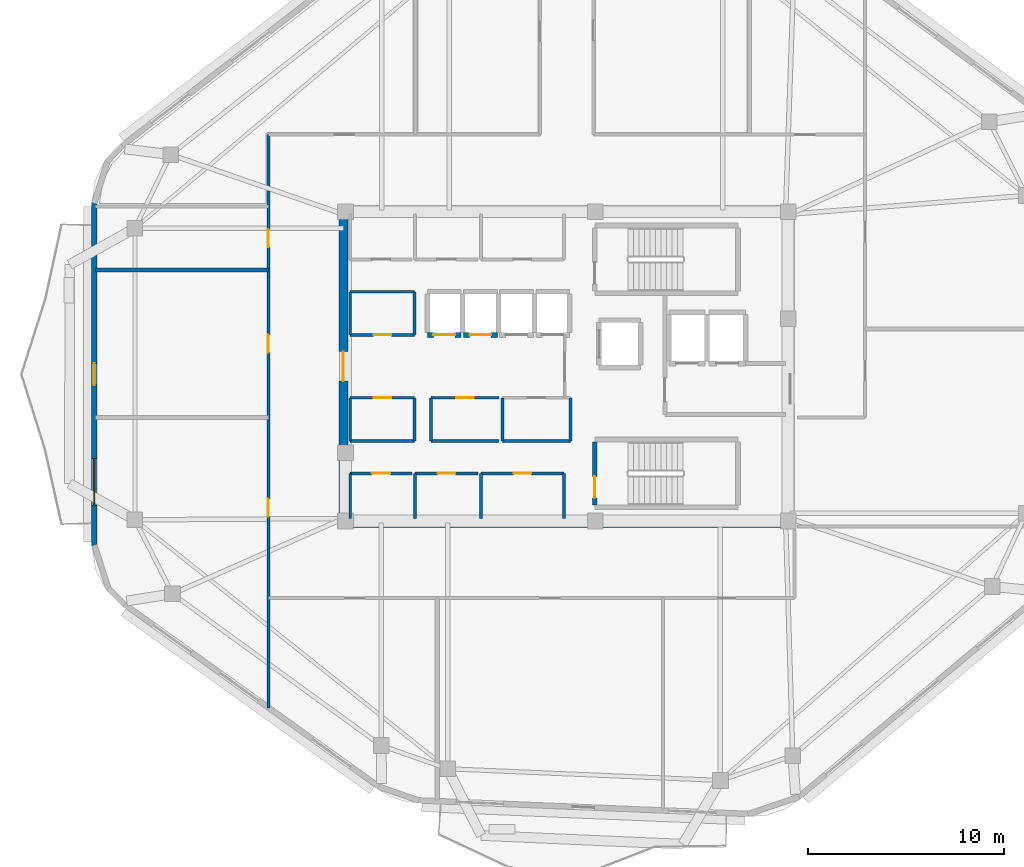
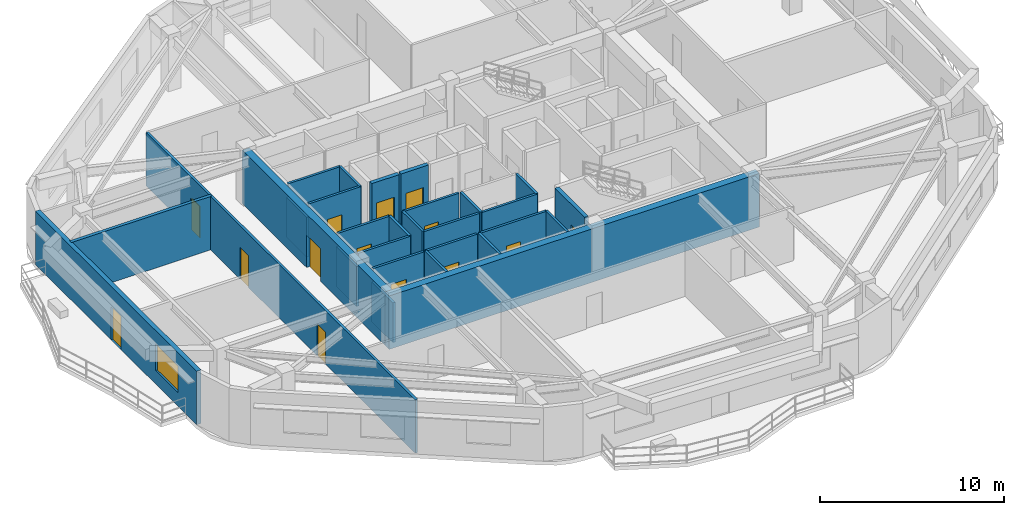
# One storey, part 6 of 12: 29 walls, 14 doors, 1 window, 15 openings.
"""IFC4 building model written with IfcOpenShell, lengths in metres."""

import ifcopenshell
import ifcopenshell.guid

model = None  # the IFC model being written
_history = None  # IfcOwnerHistory: only IFC2X3 demands one
_inside = {}  # id of a spatial element -> (the spatial element, [elements in it])
_under = {}  # id of a project, library or spatial element -> (it, [spatial elements below it])
_declared = {}  # id of a project -> (the project, [libraries it declares])
_typed = {}  # id of a type object -> (the type object, [elements of that type])
_made_of = {}  # id of a material, layer set ... -> (it, [elements and type objects made of it])


def new_model(schema):
    """Start an empty IFC model of exactly this schema.

    Asked for "IFC4X3", IfcOpenShell would pick the latest addendum, in which some entities
    have other attributes; the version numbers below select the first issue.
    IFC2X3 requires an IfcOwnerHistory on every rooted entity: one is made here for all.
    """
    global model, _history
    if schema == "IFC4X3":
        model = ifcopenshell.file(schema_version=(4, 3, 0, 0))
    else:
        model = ifcopenshell.file(schema=schema)
    _inside.clear()
    _under.clear()
    _declared.clear()
    _typed.clear()
    _made_of.clear()
    _history = None
    if model.schema == "IFC2X3":
        org = make("IfcOrganization", Name="unknown")
        user = make(
            "IfcPersonAndOrganization",
            ThePerson=make("IfcPerson", FamilyName="unknown"),
            TheOrganization=org,
        )
        app = make(
            "IfcApplication",
            ApplicationDeveloper=org,
            Version="unknown",
            ApplicationFullName="unknown",
            ApplicationIdentifier="unknown",
        )
        _history = make(
            "IfcOwnerHistory",
            OwningUser=user,
            OwningApplication=app,
            ChangeAction="ADDED",
            CreationDate=0,
        )
    return model


def make(cls, **values):
    """One entity of the class cls with the attributes given. An attribute that is None is left unset."""
    return model.create_entity(
        cls, **{name: value for name, value in values.items() if value is not None}
    )


def rooted(cls, **values):
    """An entity with a GlobalId (a new one), such as an element, a storey or a relation."""
    return make(cls, GlobalId=ifcopenshell.guid.new(), OwnerHistory=_history, **values)


def si_unit(unit_type, name, prefix=None):
    """IfcSIUnit, for example si_unit("LENGTHUNIT", "METRE", prefix="MILLI")."""
    return make("IfcSIUnit", UnitType=unit_type, Prefix=prefix, Name=name)


def assignment(units):
    """IfcUnitAssignment: the units of a project."""
    return None if units is None else make("IfcUnitAssignment", Units=units)


def point(xyz):
    """IfcCartesianPoint."""
    return None if xyz is None else make("IfcCartesianPoint", Coordinates=xyz)


def direction(xyz):
    """IfcDirection."""
    return None if xyz is None else make("IfcDirection", DirectionRatios=xyz)


def frame(location, z_axis=None, x_axis=None):
    """IfcAxis2Placement3D, a coordinate frame: its origin and axes. An axis left out is left unset."""
    return make(
        "IfcAxis2Placement3D",
        Location=point(location),
        Axis=direction(z_axis),
        RefDirection=direction(x_axis),
    )


def frame_2d(location, x_axis=None):
    """IfcAxis2Placement2D, a coordinate frame in the plane: its origin and x axis."""
    return make(
        "IfcAxis2Placement2D", Location=point(location), RefDirection=direction(x_axis)
    )


def origin():
    """The frame at (0, 0, 0) with its axes left unset."""
    return frame((0.0, 0.0, 0.0))


def place(relative_to, where):
    """IfcLocalPlacement: puts the frame where relative to a parent placement (None: the world)."""
    return make(
        "IfcLocalPlacement", PlacementRelTo=relative_to, RelativePlacement=where
    )


def context(
    kind, dimensions, precision=None, world=None, true_north=None, identifier=None
):
    """IfcGeometricRepresentationContext, for example the 3D "Model" context."""
    return make(
        "IfcGeometricRepresentationContext",
        ContextIdentifier=identifier,
        ContextType=kind,
        CoordinateSpaceDimension=dimensions,
        Precision=precision,
        WorldCoordinateSystem=world,
        TrueNorth=true_north,
    )


def subcontext(parent, identifier, kind, view, scale=None):
    """IfcGeometricRepresentationSubContext, for example "Body" below "Model"."""
    return make(
        "IfcGeometricRepresentationSubContext",
        ContextIdentifier=identifier,
        ContextType=kind,
        ParentContext=parent,
        TargetScale=scale,
        TargetView=view,
    )


def project(units=None, contexts=None):
    """IfcProject with its units and contexts."""
    return rooted(
        "IfcProject",
        Name="project",
        RepresentationContexts=contexts,
        UnitsInContext=assignment(units),
    )


def spatial(cls, under=None, at=None, **own):
    """A site, building, storey or space (cls), placed at a placement, below another one or the project."""
    s = rooted(cls, ObjectPlacement=at, **own)
    if under is not None:
        _under.setdefault(under.id(), (under, []))[1].append(s)
    return s


def profile(cls, at=None, kind="AREA", **sizes):
    """A parametric profile (cls). Its sizes go by their IFC names, for example OverallWidth=200.0."""
    return make(cls, ProfileType=kind, Position=at, **sizes)


def rectangle(**sizes):
    """IfcRectangleProfileDef."""
    return profile("IfcRectangleProfileDef", **sizes)


def extrude(swept, where, along, depth):
    """IfcExtrudedAreaSolid: the profile swept, set in the frame where, extruded along a direction by depth."""
    return make(
        "IfcExtrudedAreaSolid",
        SweptArea=swept,
        Position=where,
        ExtrudedDirection=direction(along),
        Depth=depth,
    )


def shape(context_of_items, identifier, shape_type, items):
    """IfcShapeRepresentation: the items that make up one representation, for example the "Body"."""
    return make(
        "IfcShapeRepresentation",
        ContextOfItems=context_of_items,
        RepresentationIdentifier=identifier,
        RepresentationType=shape_type,
        Items=items,
    )


def material(Name=None, Category=None):
    """IfcMaterial."""
    return make("IfcMaterial", Name=Name, Category=Category)


def layer(
    of_material, thickness, ventilated=None, Name=None, Category=None, Priority=None
):
    """IfcMaterialLayer: one layer of a wall or slab, of a material (None: an air gap)."""
    return make(
        "IfcMaterialLayer",
        Material=of_material,
        LayerThickness=thickness,
        IsVentilated=ventilated,
        Name=Name,
        Category=Category,
        Priority=Priority,
    )


def layer_set(layers, Name=None):
    """IfcMaterialLayerSet."""
    return make("IfcMaterialLayerSet", MaterialLayers=layers, LayerSetName=Name)


def made_of(thing, what):
    """Note that an element or type object is made of a material, layer set ...; save() writes the relation."""
    if what is not None:
        _made_of.setdefault(what.id(), (what, []))[1].append(thing)
    return thing


def type_object(cls, material=None, **own):
    """A type object (cls), such as IfcWallType, which elements share."""
    return made_of(rooted(cls, **own), material)


def element(
    cls,
    number,
    at=None,
    inside=None,
    cuts=None,
    type_object=None,
    material=None,
    context=None,
    identifier="Body",
    shape_type=None,
    held_by="IfcProductDefinitionShape",
    body=None,
    shapes=None,
    **own,
):
    """One element of the class cls, such as IfcWall. Its Tag is "e" and its number.

    at: its placement. inside: the storey or other place that contains it. cuts: it is an
    opening in that element (IfcRelVoidsElement). A single representation is given by context,
    identifier, shape_type and body (its items); several are given by shapes. held_by: the class
    of the entity that holds the representations. save() writes the other relations.
    """
    e = rooted(cls, Tag="e%d" % number, ObjectPlacement=at, **own)
    if body is not None:
        shapes = [shape(context, identifier, shape_type, body)]
    if shapes is not None:
        e.Representation = make(held_by, Representations=shapes)
    if inside is not None:
        _inside.setdefault(inside.id(), (inside, []))[1].append(e)
    if cuts is not None:
        rooted(
            "IfcRelVoidsElement", RelatingBuildingElement=cuts, RelatedOpeningElement=e
        )
    if type_object is not None:
        _typed.setdefault(type_object.id(), (type_object, []))[1].append(e)
    return made_of(e, material)


def fill(opening, filler):
    """IfcRelFillsElement: the door or window that sits in an opening."""
    return rooted(
        "IfcRelFillsElement",
        RelatingOpeningElement=opening,
        RelatedBuildingElement=filler,
    )


def aggregate(whole, parts):
    """IfcRelAggregates: a whole, such as a stair, and the parts it consists of."""
    return rooted("IfcRelAggregates", RelatingObject=whole, RelatedObjects=parts)


def save(model, path):
    """Write the relations noted so far, then the file.

    IfcRelAggregates (storeys below a building ...), IfcRelContainedInSpatialStructure (elements
    in a storey), IfcRelDefinesByType, IfcRelAssociatesMaterial and IfcRelDeclares: one each for
    every whole, place, type object, material and project.
    """
    for whole, parts in _under.values():
        aggregate(whole, parts)
    for where, things in _inside.values():
        rooted(
            "IfcRelContainedInSpatialStructure",
            RelatedElements=things,
            RelatingStructure=where,
        )
    for kind, things in _typed.values():
        rooted("IfcRelDefinesByType", RelatedObjects=things, RelatingType=kind)
    for what, things in _made_of.values():
        rooted("IfcRelAssociatesMaterial", RelatedObjects=things, RelatingMaterial=what)
    for by, libraries in _declared.values():
        rooted("IfcRelDeclares", RelatingContext=by, RelatedDefinitions=libraries)
    model.write(path)


model = new_model("IFC4")

# Units and contexts
model_context = context("Model", 3, precision=1e-05, world=origin(), true_north=direction((0.0, 1.0)))
body_context = subcontext(model_context, "Body", "Model", "MODEL_VIEW")
ifc_project = project(units=[si_unit("LENGTHUNIT", "METRE"), si_unit("AREAUNIT", "SQUARE_METRE"), si_unit("VOLUMEUNIT", "CUBIC_METRE"), si_unit("PLANEANGLEUNIT", "RADIAN"), si_unit("MASSUNIT", "GRAM", prefix="KILO")], contexts=[model_context])

# Site, building, storey
site_placement = place(None, origin())
site = spatial("IfcSite", under=ifc_project, at=site_placement, CompositionType="ELEMENT")
building_placement = place(site_placement, origin())
building = spatial("IfcBuilding", under=site, at=building_placement, Name="Zulverin Broadcast Headquarters", CompositionType="ELEMENT")
storey_placement = place(building_placement, frame((0.0, 0.0, 289.60009765625)))
storey = spatial("IfcBuildingStorey", under=building, at=storey_placement, Name="L74", CompositionType="ELEMENT", Elevation=289.60009765625)

# Walls
ifc_material_1 = material(Name="Acoustic drywall steel stud", Category="steel")
ifc_layer_1 = layer(ifc_material_1, 0.199951171875, Name="Acoustic drywall steel stud", Category="steel")
ifc_layer_set_1 = layer_set([ifc_layer_1], Name="Acoustic drywall steel stud")
wall_type_1 = type_object("IfcWallType", Name="WL-ACOU-200", PredefinedType="PARTITIONING", material=ifc_layer_set_1)
wall_1_placement = place(storey_placement, frame((13.0048828125, 30.10009765625, 0.0), z_axis=(0.0, 0.0, 1.0), x_axis=(1.0, 0.0, 0.0)))
element("IfcWall", 1, at=wall_1_placement, inside=storey, type_object=wall_type_1, Name="L74 Room Partition Wall RP-15", PredefinedType="PARTITIONING", context=body_context, shape_type="SweptSolid", body=[
    extrude(rectangle(XDim=8.795166015625, YDim=0.199951171875, at=frame_2d((4.3974609375, 0.0))), origin(), (0.0, 0.0, 1.0), 3.539794921875),
])
ifc_material_2 = material(Name="Concrete C50/60", Category="concrete")
ifc_layer_2 = layer(ifc_material_2, 0.449951171875, Name="Concrete C50/60", Category="concrete")
ifc_layer_set_2 = layer_set([ifc_layer_2], Name="Concrete C50/60")
wall_type_2 = type_object("IfcWallType", Name="WL-CORE-450", PredefinedType="SHEAR", material=ifc_layer_set_2)
wall_2_placement = place(storey_placement, frame((25.39990234375, 17.22509765625, 0.0), z_axis=(0.0, 0.0, 1.0), x_axis=(1.0, 0.0, 0.0)))
element("IfcWall", 2, at=wall_2_placement, inside=storey, type_object=wall_type_2, Name="L74 Core South Shear Wall", PredefinedType="SHEAR", context=body_context, shape_type="SweptSolid", body=[
    extrude(rectangle(XDim=23.2001953125, YDim=0.449951171875, at=frame_2d((11.60009765625, 0.0))), origin(), (0.0, 0.0, 1.0), 3.539794921875),
])

# Wall, opening, door
wall_3_placement = place(storey_placement, frame((25.625, 17.449951171875, 0.0), z_axis=(0.0, 0.0, 1.0), x_axis=(0.0, 1.0, 0.0)))
wall_3 = element("IfcWall", 3, at=wall_3_placement, inside=storey, type_object=wall_type_2, Name="L74 Core West Shear Wall", PredefinedType="SHEAR", context=body_context, shape_type="SweptSolid", body=[
    extrude(rectangle(XDim=15.5, YDim=0.449951171875, at=frame_2d((7.75, 0.0))), origin(), (0.0, 0.0, 1.0), 3.539794921875),
])
opening_1_placement = place(wall_3_placement, frame((7.0, 0.0, 0.0)))
opening_1 = element("IfcOpeningElement", 4, at=opening_1_placement, cuts=wall_3, Name="Opening D-L74-CW1", PredefinedType="OPENING", context=body_context, shape_type="SweptSolid", body=[
    extrude(rectangle(XDim=1.5, YDim=2.14990234375, at=frame_2d((0.75, 1.074951171875))), frame((0.0, 0.23486328125, 0.0), z_axis=(0.0, -1.0, 0.0), x_axis=(1.0, 0.0, 0.0)), (0.0, 0.0, 1.0), 0.469970703125),
])
ifc_material_3 = material(Name="Fire-rated glazed steel frame", Category="steel")
door_type_1 = type_object("IfcDoorType", Name="DR-COR-1500", OperationType="DOUBLE_DOOR_SINGLE_SWING", PredefinedType="DOOR", material=ifc_material_3)
door_1_placement = place(opening_1_placement, origin())
door_1 = element("IfcDoor", 5, at=door_1_placement, inside=storey, type_object=door_type_1, Name="L74 Central Lift Lobby West Portal Door", OperationType="DOUBLE_DOOR_SINGLE_SWING", OverallHeight=2.14990234375, OverallWidth=1.5, PredefinedType="DOOR", context=body_context, shape_type="SweptSolid", body=[
    extrude(rectangle(XDim=1.5, YDim=2.14990234375, at=frame_2d((0.75, 1.074951171875))), frame((0.0, 0.02490234375, 0.0), z_axis=(0.0, -1.0, 0.0), x_axis=(1.0, 0.0, 0.0)), (0.0, 0.0, 1.0), 0.050048828125),
])
fill(opening_1, door_1)

# Wall, openings, door, window
ifc_material_4 = material(Name="Insulated pale-metal clad concrete spandrel C40/50", Category="concrete")
ifc_layer_3 = layer(ifc_material_4, 0.280029296875, Name="Insulated pale-metal clad concrete spandrel C40/50", Category="concrete")
ifc_layer_set_3 = layer_set([ifc_layer_3], Name="Insulated pale-metal clad concrete spandrel C40/50")
wall_type_3 = type_object("IfcWallType", Name="WL-EXT-280", PredefinedType="STANDARD", material=ifc_layer_set_3)
wall_4_placement = place(storey_placement, frame((12.93994140625, 33.548095703125, 0.0), z_axis=(0.0, 0.0, 1.0), x_axis=(0.0, -1.0, 0.0)))
wall_4 = element("IfcWall", 6, at=wall_4_placement, inside=storey, type_object=wall_type_3, Name="L74 Pale-Metal Clad Spandrel Wall 7", PredefinedType="STANDARD", context=body_context, shape_type="SweptSolid", body=[
    extrude(rectangle(XDim=17.496337890625, YDim=0.280029296875, at=frame_2d((8.748046875, 0.0))), origin(), (0.0, 0.0, 1.0), 3.539794921875),
])
opening_2_placement = place(wall_4_placement, frame((8.1982421875, 0.0, 0.0)))
opening_2 = element("IfcOpeningElement", 7, at=opening_2_placement, cuts=wall_4, Name="Opening D-L74-TR7", PredefinedType="OPENING", context=body_context, shape_type="SweptSolid", body=[
    extrude(rectangle(XDim=1.10009765625, YDim=2.199951171875, at=frame_2d((0.550048828125, 1.10009765625))), frame((0.0, 0.14990234375, 0.0), z_axis=(0.0, -1.0, 0.0), x_axis=(1.0, 0.0, 0.0)), (0.0, 0.0, 1.0), 0.300048828125),
])
opening_3_placement = place(wall_4_placement, frame((13.046875, 0.0, 0.89990234375)))
opening_3 = element("IfcOpeningElement", 8, at=opening_3_placement, cuts=wall_4, Name="Opening W-L74-E71", PredefinedType="OPENING", context=body_context, shape_type="SweptSolid", body=[
    extrude(rectangle(XDim=2.39990234375, YDim=1.75, at=frame_2d((1.199951171875, 0.875))), frame((0.0, 0.14990234375, 0.0), z_axis=(0.0, -1.0, 0.0), x_axis=(1.0, 0.0, 0.0)), (0.0, 0.0, 1.0), 0.300048828125),
])
ifc_material_5 = material(Name="Thermally broken aluminium glazed", Category="aluminium")
door_type_2 = type_object("IfcDoorType", Name="DR-TERR-1100", OperationType="SINGLE_SWING_RIGHT", PredefinedType="DOOR", material=ifc_material_5)
door_2_placement = place(opening_2_placement, origin())
door_2 = element("IfcDoor", 9, at=door_2_placement, inside=storey, type_object=door_type_2, Name="L74 Planted Terrace Glazed Access Door 7", OperationType="SINGLE_SWING_RIGHT", OverallHeight=2.199951171875, OverallWidth=1.10009765625, PredefinedType="DOOR", context=body_context, shape_type="SweptSolid", body=[
    extrude(rectangle(XDim=1.10009765625, YDim=2.199951171875, at=frame_2d((0.550048828125, 1.10009765625))), frame((0.0, 0.02490234375, 0.0), z_axis=(0.0, -1.0, 0.0), x_axis=(1.0, 0.0, 0.0)), (0.0, 0.0, 1.0), 0.050048828125),
])
fill(opening_2, door_2)
ifc_material_6 = material(Name="Pale anodized aluminium frame with solar-control low-E double glazing", Category="aluminium")
window_type = type_object("IfcWindowType", Name="WIN-RIB-2400", PartitioningType="SINGLE_PANEL", PredefinedType="WINDOW", material=ifc_material_6)
window_placement = place(opening_3_placement, origin())
window = element("IfcWindow", 10, at=window_placement, inside=storey, type_object=window_type, Name="L74 Ribbon Glazing Window 7 1", OverallHeight=1.75, OverallWidth=2.39990234375, PartitioningType="SINGLE_PANEL", PredefinedType="WINDOW", context=body_context, shape_type="SweptSolid", body=[
    extrude(rectangle(XDim=2.39990234375, YDim=1.75, at=frame_2d((1.199951171875, 0.875))), frame((0.0, 0.030029296875, 0.0), z_axis=(0.0, -1.0, 0.0), x_axis=(1.0, 0.0, 0.0)), (0.0, 0.0, 1.0), 0.06005859375),
])
fill(opening_3, window)

# Wall, opening, door
ifc_material_7 = material(Name="Fire-rated gypsum stud partition", Category="gypsum")
ifc_layer_4 = layer(ifc_material_7, 0.14990234375, Name="Fire-rated gypsum stud partition", Category="gypsum")
ifc_layer_set_4 = layer_set([ifc_layer_4], Name="Fire-rated gypsum stud partition")
wall_type_4 = type_object("IfcWallType", Name="WL-PART-150", PredefinedType="PARTITIONING", material=ifc_layer_set_4)
wall_5_placement = place(storey_placement, frame((25.969970703125, 19.75, 0.0), z_axis=(0.0, 0.0, 1.0), x_axis=(1.0, 0.0, 0.0)))
wall_5 = element("IfcWall", 11, at=wall_5_placement, inside=storey, type_object=wall_type_4, Name="L74 Core Female WC Front Wall", PredefinedType="PARTITIONING", context=body_context, shape_type="SweptSolid", body=[
    extrude(rectangle(XDim=3.150146484375, YDim=0.14990234375, at=frame_2d((1.5751953125, 0.0))), origin(), (0.0, 0.0, 1.0), 3.539794921875),
])
opening_4_placement = place(wall_5_placement, frame((1.10009765625, 0.0, 0.0)))
opening_4 = element("IfcOpeningElement", 12, at=opening_4_placement, cuts=wall_5, Name="Opening D-L74-SC1", PredefinedType="OPENING", context=body_context, shape_type="SweptSolid", body=[
    extrude(rectangle(XDim=0.949951171875, YDim=2.10009765625, at=frame_2d((0.47509765625, 1.050048828125))), frame((0.0, 0.0849609375, 0.0), z_axis=(0.0, -1.0, 0.0), x_axis=(1.0, 0.0, 0.0)), (0.0, 0.0, 1.0), 0.169921875),
])
ifc_material_8 = material(Name="Fire-rated moisture-resistant laminate leaf", Category="wood")
door_type_3 = type_object("IfcDoorType", Name="DR-WC-950", OperationType="SINGLE_SWING_LEFT", PredefinedType="DOOR", material=ifc_material_8)
door_3_placement = place(opening_4_placement, origin())
door_3 = element("IfcDoor", 13, at=door_3_placement, inside=storey, type_object=door_type_3, Name="L74 Female WC Door", OperationType="SINGLE_SWING_RIGHT", OverallHeight=2.10009765625, OverallWidth=0.949951171875, PredefinedType="DOOR", context=body_context, shape_type="SweptSolid", body=[
    extrude(rectangle(XDim=0.949951171875, YDim=2.10009765625, at=frame_2d((0.47509765625, 1.050048828125))), frame((0.0, 0.02490234375, 0.0), z_axis=(0.0, -1.0, 0.0), x_axis=(1.0, 0.0, 0.0)), (0.0, 0.0, 1.0), 0.050048828125),
])
fill(opening_4, door_3)

# Wall
wall_6_placement = place(storey_placement, frame((25.969970703125, 17.449951171875, 0.0), z_axis=(0.0, 0.0, 1.0), x_axis=(0.0, 1.0, 0.0)))
element("IfcWall", 14, at=wall_6_placement, inside=storey, type_object=wall_type_4, Name="L74 Core Female WC West Wall", PredefinedType="PARTITIONING", context=body_context, shape_type="SweptSolid", body=[
    extrude(rectangle(XDim=2.300048828125, YDim=0.14990234375, at=frame_2d((1.14990234375, 0.0))), origin(), (0.0, 0.0, 1.0), 2.639892578125),
])

# Wall, opening, door
wall_7_placement = place(storey_placement, frame((29.280029296875, 19.75, 0.0), z_axis=(0.0, 0.0, 1.0), x_axis=(1.0, 0.0, 0.0)))
wall_7 = element("IfcWall", 15, at=wall_7_placement, inside=storey, type_object=wall_type_4, Name="L74 Core Cleaner Store Front Wall", PredefinedType="PARTITIONING", context=body_context, shape_type="SweptSolid", body=[
    extrude(rectangle(XDim=3.18994140625, YDim=0.14990234375, at=frame_2d((1.594970703125, 0.0))), origin(), (0.0, 0.0, 1.0), 3.539794921875),
])
opening_5_placement = place(wall_7_placement, frame((1.14501953125, 0.0, 0.0)))
opening_5 = element("IfcOpeningElement", 16, at=opening_5_placement, cuts=wall_7, Name="Opening D-L74-SC2", PredefinedType="OPENING", context=body_context, shape_type="SweptSolid", body=[
    extrude(rectangle(XDim=0.89990234375, YDim=2.10009765625, at=frame_2d((0.449951171875, 1.050048828125))), frame((0.0, 0.0849609375, 0.0), z_axis=(0.0, -1.0, 0.0), x_axis=(1.0, 0.0, 0.0)), (0.0, 0.0, 1.0), 0.169921875),
])
ifc_material_9 = material(Name="Powder-coated steel access leaf", Category="steel")
door_type_4 = type_object("IfcDoorType", Name="DR-RISER-900", OperationType="SINGLE_SWING_LEFT", PredefinedType="DOOR", material=ifc_material_9)
door_4_placement = place(opening_5_placement, origin())
door_4 = element("IfcDoor", 17, at=door_4_placement, inside=storey, type_object=door_type_4, Name="L74 Cleaner Store Door", OperationType="SINGLE_SWING_LEFT", OverallHeight=2.10009765625, OverallWidth=0.89990234375, PredefinedType="DOOR", context=body_context, shape_type="SweptSolid", body=[
    extrude(rectangle(XDim=0.89990234375, YDim=2.10009765625, at=frame_2d((0.449951171875, 1.050048828125))), frame((0.0, 0.02490234375, 0.0), z_axis=(0.0, -1.0, 0.0), x_axis=(1.0, 0.0, 0.0)), (0.0, 0.0, 1.0), 0.050048828125),
])
fill(opening_5, door_4)

# Wall
wall_8_placement = place(storey_placement, frame((29.280029296875, 17.449951171875, 0.0), z_axis=(0.0, 0.0, 1.0), x_axis=(0.0, 1.0, 0.0)))
element("IfcWall", 18, at=wall_8_placement, inside=storey, type_object=wall_type_4, Name="L74 Core Cleaner Store West Wall", PredefinedType="PARTITIONING", context=body_context, shape_type="SweptSolid", body=[
    extrude(rectangle(XDim=2.300048828125, YDim=0.14990234375, at=frame_2d((1.14990234375, 0.0))), origin(), (0.0, 0.0, 1.0), 3.539794921875),
])

# Wall, opening, door
wall_9_placement = place(storey_placement, frame((32.6298828125, 19.75, 0.0), z_axis=(0.0, 0.0, 1.0), x_axis=(1.0, 0.0, 0.0)))
wall_9 = element("IfcWall", 19, at=wall_9_placement, inside=storey, type_object=wall_type_4, Name="L74 Core Broadcast Fibre Riser Front Wall", PredefinedType="PARTITIONING", context=body_context, shape_type="SweptSolid", body=[
    extrude(rectangle(XDim=4.22021484375, YDim=0.14990234375, at=frame_2d((2.110107421875, 0.0))), origin(), (0.0, 0.0, 1.0), 3.539794921875),
])
opening_6_placement = place(wall_9_placement, frame((1.659912109375, 0.0, 0.0)))
opening_6 = element("IfcOpeningElement", 20, at=opening_6_placement, cuts=wall_9, Name="Opening D-L74-SC3", PredefinedType="OPENING", context=body_context, shape_type="SweptSolid", body=[
    extrude(rectangle(XDim=0.89990234375, YDim=2.10009765625, at=frame_2d((0.449951171875, 1.050048828125))), frame((0.0, 0.0849609375, 0.0), z_axis=(0.0, -1.0, 0.0), x_axis=(1.0, 0.0, 0.0)), (0.0, 0.0, 1.0), 0.169921875),
])
door_5_placement = place(opening_6_placement, origin())
door_5 = element("IfcDoor", 21, at=door_5_placement, inside=storey, type_object=door_type_4, Name="L74 Broadcast Fibre Riser Door", OperationType="SINGLE_SWING_RIGHT", OverallHeight=2.10009765625, OverallWidth=0.89990234375, PredefinedType="DOOR", context=body_context, shape_type="SweptSolid", body=[
    extrude(rectangle(XDim=0.89990234375, YDim=2.10009765625, at=frame_2d((0.449951171875, 1.050048828125))), frame((0.0, 0.02490234375, 0.0), z_axis=(0.0, -1.0, 0.0), x_axis=(1.0, 0.0, 0.0)), (0.0, 0.0, 1.0), 0.050048828125),
])
fill(opening_6, door_5)

# Walls
for number, where, z_axis, x_axis, name in (
    (22, (32.6298828125, 17.449951171875, 0.0), (0.0, 0.0, 1.0), (0.0, 1.0, 0.0), "L74 Core Broadcast Fibre Riser West Wall"),
    (23, (36.85009765625, 17.449951171875, 0.0), (0.0, 0.0, 1.0), (0.0, 1.0, 0.0), "L74 Core Broadcast Fibre Riser East Wall"),
):
    element("IfcWall", number, at=place(storey_placement, frame(where, z_axis=z_axis, x_axis=x_axis)), inside=storey, type_object=wall_type_4, Name=name, PredefinedType="PARTITIONING", context=body_context, shape_type="SweptSolid", body=[
        extrude(rectangle(XDim=2.300048828125, YDim=0.14990234375, at=frame_2d((1.14990234375, 0.0))), origin(), (0.0, 0.0, 1.0), 3.539794921875),
    ])

# Wall, opening, door
wall_10_placement = place(storey_placement, frame((25.969970703125, 26.800048828125, 0.0), z_axis=(0.0, 0.0, 1.0), x_axis=(1.0, 0.0, 0.0)))
wall_10 = element("IfcWall", 24, at=wall_10_placement, inside=storey, type_object=wall_type_4, Name="L74 Core UPS Battery Store S Wall", PredefinedType="PARTITIONING", context=body_context, shape_type="SweptSolid", body=[
    extrude(rectangle(XDim=3.280029296875, YDim=0.14990234375, at=frame_2d((1.64013671875, 0.0))), origin(), (0.0, 0.0, 1.0), 3.539794921875),
])
opening_7_placement = place(wall_10_placement, frame((1.18994140625, 0.0, 0.0)))
opening_7 = element("IfcOpeningElement", 25, at=opening_7_placement, cuts=wall_10, Name="Opening D-L74-RCLN", PredefinedType="OPENING", context=body_context, shape_type="SweptSolid", body=[
    extrude(rectangle(XDim=0.89990234375, YDim=2.10009765625, at=frame_2d((0.449951171875, 1.050048828125))), frame((0.0, 0.0849609375, 0.0), z_axis=(0.0, -1.0, 0.0), x_axis=(1.0, 0.0, 0.0)), (0.0, 0.0, 1.0), 0.169921875),
])
door_6_placement = place(opening_7_placement, origin())
door_6 = element("IfcDoor", 26, at=door_6_placement, inside=storey, type_object=door_type_4, Name="L74 Core UPS Battery Store Door", OperationType="SINGLE_SWING_LEFT", OverallHeight=2.10009765625, OverallWidth=0.89990234375, PredefinedType="DOOR", context=body_context, shape_type="SweptSolid", body=[
    extrude(rectangle(XDim=0.89990234375, YDim=2.10009765625, at=frame_2d((0.449951171875, 1.050048828125))), frame((0.0, 0.02490234375, 0.0), z_axis=(0.0, -1.0, 0.0), x_axis=(1.0, 0.0, 0.0)), (0.0, 0.0, 1.0), 0.050048828125),
])
fill(opening_7, door_6)

# Walls
wall_11_placement = place(storey_placement, frame((25.969970703125, 29.0, 0.0), z_axis=(0.0, 0.0, 1.0), x_axis=(1.0, 0.0, 0.0)))
element("IfcWall", 27, at=wall_11_placement, inside=storey, type_object=wall_type_4, Name="L74 Core UPS Battery Store N Wall", PredefinedType="PARTITIONING", context=body_context, shape_type="SweptSolid", body=[
    extrude(rectangle(XDim=3.280029296875, YDim=0.14990234375, at=frame_2d((1.64013671875, 0.0))), origin(), (0.0, 0.0, 1.0), 3.539794921875),
])
wall_12_placement = place(storey_placement, frame((25.969970703125, 26.800048828125, 0.0), z_axis=(0.0, 0.0, 1.0), x_axis=(0.0, 1.0, 0.0)))
element("IfcWall", 28, at=wall_12_placement, inside=storey, type_object=wall_type_4, Name="L74 Core UPS Battery Store W Wall", PredefinedType="PARTITIONING", context=body_context, shape_type="SweptSolid", body=[
    extrude(rectangle(XDim=2.199951171875, YDim=0.14990234375, at=frame_2d((1.10009765625, 0.0))), origin(), (0.0, 0.0, 1.0), 2.639892578125),
])
wall_13_placement = place(storey_placement, frame((29.25, 26.800048828125, 0.0), z_axis=(0.0, 0.0, 1.0), x_axis=(0.0, 1.0, 0.0)))
element("IfcWall", 29, at=wall_13_placement, inside=storey, type_object=wall_type_4, Name="L74 Core UPS Battery Store E Wall", PredefinedType="PARTITIONING", context=body_context, shape_type="SweptSolid", body=[
    extrude(rectangle(XDim=2.199951171875, YDim=0.14990234375, at=frame_2d((1.10009765625, 0.0))), origin(), (0.0, 0.0, 1.0), 3.539794921875),
])
wall_14_placement = place(storey_placement, frame((25.969970703125, 21.39990234375, 0.0), z_axis=(0.0, 0.0, 1.0), x_axis=(1.0, 0.0, 0.0)))
element("IfcWall", 30, at=wall_14_placement, inside=storey, type_object=wall_type_4, Name="L74 Housekeeping Equipment Store S Wall", PredefinedType="PARTITIONING", context=body_context, shape_type="SweptSolid", body=[
    extrude(rectangle(XDim=3.280029296875, YDim=0.14990234375, at=frame_2d((1.64013671875, 0.0))), origin(), (0.0, 0.0, 1.0), 3.539794921875),
])

# Wall, opening, door
wall_15_placement = place(storey_placement, frame((25.969970703125, 23.60009765625, 0.0), z_axis=(0.0, 0.0, 1.0), x_axis=(1.0, 0.0, 0.0)))
wall_15 = element("IfcWall", 31, at=wall_15_placement, inside=storey, type_object=wall_type_4, Name="L74 Housekeeping Equipment Store N Wall", PredefinedType="PARTITIONING", context=body_context, shape_type="SweptSolid", body=[
    extrude(rectangle(XDim=3.280029296875, YDim=0.14990234375, at=frame_2d((1.64013671875, 0.0))), origin(), (0.0, 0.0, 1.0), 3.539794921875),
])
opening_8_placement = place(wall_15_placement, frame((1.18994140625, 0.0, 0.0)))
opening_8 = element("IfcOpeningElement", 32, at=opening_8_placement, cuts=wall_15, Name="Opening D-L74-RCLS", PredefinedType="OPENING", context=body_context, shape_type="SweptSolid", body=[
    extrude(rectangle(XDim=0.89990234375, YDim=2.10009765625, at=frame_2d((0.449951171875, 1.050048828125))), frame((0.0, 0.0849609375, 0.0), z_axis=(0.0, -1.0, 0.0), x_axis=(1.0, 0.0, 0.0)), (0.0, 0.0, 1.0), 0.169921875),
])
door_7_placement = place(opening_8_placement, origin())
door_7 = element("IfcDoor", 33, at=door_7_placement, inside=storey, type_object=door_type_4, Name="L74 Housekeeping Equipment Store Door", OperationType="SINGLE_SWING_RIGHT", OverallHeight=2.10009765625, OverallWidth=0.89990234375, PredefinedType="DOOR", context=body_context, shape_type="SweptSolid", body=[
    extrude(rectangle(XDim=0.89990234375, YDim=2.10009765625, at=frame_2d((0.449951171875, 1.050048828125))), frame((0.0, 0.02490234375, 0.0), z_axis=(0.0, -1.0, 0.0), x_axis=(1.0, 0.0, 0.0)), (0.0, 0.0, 1.0), 0.050048828125),
])
fill(opening_8, door_7)

# Walls
wall_16_placement = place(storey_placement, frame((25.969970703125, 21.39990234375, 0.0), z_axis=(0.0, 0.0, 1.0), x_axis=(0.0, 1.0, 0.0)))
element("IfcWall", 34, at=wall_16_placement, inside=storey, type_object=wall_type_4, Name="L74 Housekeeping Equipment Store W Wall", PredefinedType="PARTITIONING", context=body_context, shape_type="SweptSolid", body=[
    extrude(rectangle(XDim=2.2001953125, YDim=0.14990234375, at=frame_2d((1.10009765625, 0.0))), origin(), (0.0, 0.0, 1.0), 2.639892578125),
])
wall_17_placement = place(storey_placement, frame((29.25, 21.39990234375, 0.0), z_axis=(0.0, 0.0, 1.0), x_axis=(0.0, 1.0, 0.0)))
element("IfcWall", 35, at=wall_17_placement, inside=storey, type_object=wall_type_4, Name="L74 Housekeeping Equipment Store E Wall", PredefinedType="PARTITIONING", context=body_context, shape_type="SweptSolid", body=[
    extrude(rectangle(XDim=2.2001953125, YDim=0.14990234375, at=frame_2d((1.10009765625, 0.0))), origin(), (0.0, 0.0, 1.0), 3.539794921875),
])
wall_18_placement = place(storey_placement, frame((30.080078125, 21.39990234375, 0.0), z_axis=(0.0, 0.0, 1.0), x_axis=(1.0, 0.0, 0.0)))
element("IfcWall", 36, at=wall_18_placement, inside=storey, type_object=wall_type_4, Name="L74 High-Zone Archive Vault Store S Wall", PredefinedType="PARTITIONING", context=body_context, shape_type="SweptSolid", body=[
    extrude(rectangle(XDim=3.47998046875, YDim=0.14990234375, at=frame_2d((1.739990234375, 0.0))), origin(), (0.0, 0.0, 1.0), 3.539794921875),
])

# Wall, opening, door
wall_19_placement = place(storey_placement, frame((30.080078125, 23.60009765625, 0.0), z_axis=(0.0, 0.0, 1.0), x_axis=(1.0, 0.0, 0.0)))
wall_19 = element("IfcWall", 37, at=wall_19_placement, inside=storey, type_object=wall_type_4, Name="L74 High-Zone Archive Vault Store N Wall", PredefinedType="PARTITIONING", context=body_context, shape_type="SweptSolid", body=[
    extrude(rectangle(XDim=3.47998046875, YDim=0.14990234375, at=frame_2d((1.739990234375, 0.0))), origin(), (0.0, 0.0, 1.0), 3.539794921875),
])
opening_9_placement = place(wall_19_placement, frame((1.2900390625, 0.0, 0.0)))
opening_9 = element("IfcOpeningElement", 38, at=opening_9_placement, cuts=wall_19, Name="Opening D-L74-RM1", PredefinedType="OPENING", context=body_context, shape_type="SweptSolid", body=[
    extrude(rectangle(XDim=0.89990234375, YDim=2.10009765625, at=frame_2d((0.449951171875, 1.050048828125))), frame((0.0, 0.0849609375, 0.0), z_axis=(0.0, -1.0, 0.0), x_axis=(1.0, 0.0, 0.0)), (0.0, 0.0, 1.0), 0.169921875),
])
door_8_placement = place(opening_9_placement, origin())
door_8 = element("IfcDoor", 39, at=door_8_placement, inside=storey, type_object=door_type_4, Name="L74 High-Zone Archive Vault Store Door", OperationType="SINGLE_SWING_LEFT", OverallHeight=2.10009765625, OverallWidth=0.89990234375, PredefinedType="DOOR", context=body_context, shape_type="SweptSolid", body=[
    extrude(rectangle(XDim=0.89990234375, YDim=2.10009765625, at=frame_2d((0.449951171875, 1.050048828125))), frame((0.0, 0.02490234375, 0.0), z_axis=(0.0, -1.0, 0.0), x_axis=(1.0, 0.0, 0.0)), (0.0, 0.0, 1.0), 0.050048828125),
])
fill(opening_9, door_8)

# Walls
wall_20_placement = place(storey_placement, frame((30.080078125, 21.39990234375, 0.0), z_axis=(0.0, 0.0, 1.0), x_axis=(0.0, 1.0, 0.0)))
element("IfcWall", 40, at=wall_20_placement, inside=storey, type_object=wall_type_4, Name="L74 High-Zone Archive Vault Store W Wall", PredefinedType="PARTITIONING", context=body_context, shape_type="SweptSolid", body=[
    extrude(rectangle(XDim=2.2001953125, YDim=0.14990234375, at=frame_2d((1.10009765625, 0.0))), origin(), (0.0, 0.0, 1.0), 3.539794921875),
])
wall_21_placement = place(storey_placement, frame((33.719970703125, 21.39990234375, 0.0), z_axis=(0.0, 0.0, 1.0), x_axis=(1.0, 0.0, 0.0)))
element("IfcWall", 41, at=wall_21_placement, inside=storey, type_object=wall_type_4, Name="L74 Executive Floor Pantry Store S Wall", PredefinedType="PARTITIONING", context=body_context, shape_type="SweptSolid", body=[
    extrude(rectangle(XDim=3.47998046875, YDim=0.14990234375, at=frame_2d((1.739990234375, 0.0))), origin(), (0.0, 0.0, 1.0), 3.539794921875),
])
for number, where, z_axis, x_axis, name in (
    (42, (33.719970703125, 21.39990234375, 0.0), (0.0, 0.0, 1.0), (0.0, 1.0, 0.0), "L74 Executive Floor Pantry Store W Wall"),
    (43, (37.199951171875, 21.39990234375, 0.0), (0.0, 0.0, 1.0), (0.0, 1.0, 0.0), "L74 Executive Floor Pantry Store E Wall"),
):
    element("IfcWall", number, at=place(storey_placement, frame(where, z_axis=z_axis, x_axis=x_axis)), inside=storey, type_object=wall_type_4, Name=name, PredefinedType="PARTITIONING", context=body_context, shape_type="SweptSolid", body=[
        extrude(rectangle(XDim=2.2001953125, YDim=0.14990234375, at=frame_2d((1.10009765625, 0.0))), origin(), (0.0, 0.0, 1.0), 3.539794921875),
    ])

# Wall, openings, doors
wall_22_placement = place(storey_placement, frame((21.800048828125, 7.789794921875, 0.0), z_axis=(0.0, 0.0, 1.0), x_axis=(0.0, 1.0, 0.0)))
wall_22 = element("IfcWall", 44, at=wall_22_placement, inside=storey, type_object=wall_type_4, Name="L74 Gallery Partition Wall CG-09", PredefinedType="PARTITIONING", context=body_context, shape_type="SweptSolid", body=[
    extrude(rectangle(XDim=29.210205078125, YDim=0.14990234375, at=frame_2d((14.60498046875, 0.0))), origin(), (0.0, 0.0, 1.0), 3.539794921875),
])
opening_10_placement = place(wall_22_placement, frame((9.760009765625, 0.0, 0.0)))
opening_10 = element("IfcOpeningElement", 45, at=opening_10_placement, cuts=wall_22, Name="Opening D-L74-08", PredefinedType="OPENING", context=body_context, shape_type="SweptSolid", body=[
    extrude(rectangle(XDim=0.89990234375, YDim=2.10009765625, at=frame_2d((0.449951171875, 1.050048828125))), frame((0.0, 0.0849609375, 0.0), z_axis=(0.0, -1.0, 0.0), x_axis=(1.0, 0.0, 0.0)), (0.0, 0.0, 1.0), 0.169921875),
])
opening_11_placement = place(wall_22_placement, frame((18.110107421875, 0.0, 0.0)))
opening_11 = element("IfcOpeningElement", 46, at=opening_11_placement, cuts=wall_22, Name="Opening D-L74-09", PredefinedType="OPENING", context=body_context, shape_type="SweptSolid", body=[
    extrude(rectangle(XDim=0.89990234375, YDim=2.10009765625, at=frame_2d((0.449951171875, 1.050048828125))), frame((0.0, 0.0849609375, 0.0), z_axis=(0.0, -1.0, 0.0), x_axis=(1.0, 0.0, 0.0)), (0.0, 0.0, 1.0), 0.169921875),
])
opening_12_placement = place(wall_22_placement, frame((23.485107421875, 0.0, 0.0)))
opening_12 = element("IfcOpeningElement", 47, at=opening_12_placement, cuts=wall_22, Name="Opening D-L74-10", PredefinedType="OPENING", context=body_context, shape_type="SweptSolid", body=[
    extrude(rectangle(XDim=0.89990234375, YDim=2.10009765625, at=frame_2d((0.449951171875, 1.050048828125))), frame((0.0, 0.0849609375, 0.0), z_axis=(0.0, -1.0, 0.0), x_axis=(1.0, 0.0, 0.0)), (0.0, 0.0, 1.0), 0.169921875),
])
ifc_material_10 = material(Name="Fire-rated hardwood veneer timber leaf", Category="wood")
door_type_5 = type_object("IfcDoorType", Name="DR-ROOM-900", OperationType="SINGLE_SWING_RIGHT", PredefinedType="DOOR", material=ifc_material_10)
door_9_placement = place(opening_10_placement, origin())
door_9 = element("IfcDoor", 48, at=door_9_placement, inside=storey, type_object=door_type_5, Name="L74 Boardroom Door", OperationType="SINGLE_SWING_LEFT", OverallHeight=2.10009765625, OverallWidth=0.89990234375, PredefinedType="DOOR", context=body_context, shape_type="SweptSolid", body=[
    extrude(rectangle(XDim=0.89990234375, YDim=2.10009765625, at=frame_2d((0.449951171875, 1.050048828125))), frame((0.0, 0.02490234375, 0.0), z_axis=(0.0, -1.0, 0.0), x_axis=(1.0, 0.0, 0.0)), (0.0, 0.0, 1.0), 0.050048828125),
])
fill(opening_10, door_9)
door_10_placement = place(opening_11_placement, origin())
door_10 = element("IfcDoor", 49, at=door_10_placement, inside=storey, type_object=door_type_5, Name="L74 Executive Pantry Door", OperationType="SINGLE_SWING_RIGHT", OverallHeight=2.10009765625, OverallWidth=0.89990234375, PredefinedType="DOOR", context=body_context, shape_type="SweptSolid", body=[
    extrude(rectangle(XDim=0.89990234375, YDim=2.10009765625, at=frame_2d((0.449951171875, 1.050048828125))), frame((0.0, 0.02490234375, 0.0), z_axis=(0.0, -1.0, 0.0), x_axis=(1.0, 0.0, 0.0)), (0.0, 0.0, 1.0), 0.050048828125),
])
fill(opening_11, door_10)
door_11_placement = place(opening_12_placement, origin())
door_11 = element("IfcDoor", 50, at=door_11_placement, inside=storey, type_object=door_type_5, Name="L74 Executive Reception Door", OperationType="SINGLE_SWING_LEFT", OverallHeight=2.10009765625, OverallWidth=0.89990234375, PredefinedType="DOOR", context=body_context, shape_type="SweptSolid", body=[
    extrude(rectangle(XDim=0.89990234375, YDim=2.10009765625, at=frame_2d((0.449951171875, 1.050048828125))), frame((0.0, 0.02490234375, 0.0), z_axis=(0.0, -1.0, 0.0), x_axis=(1.0, 0.0, 0.0)), (0.0, 0.0, 1.0), 0.050048828125),
])
fill(opening_12, door_11)

# Wall, opening, door
ifc_layer_5 = layer(ifc_material_2, 0.25, Name="Concrete C50/60", Category="concrete")
ifc_layer_set_5 = layer_set([ifc_layer_5], Name="Concrete C50/60")
wall_type_5 = type_object("IfcWallType", Name="WL-SHAFT-250", PredefinedType="SHEAR", material=ifc_layer_set_5)
wall_23_placement = place(storey_placement, frame((38.425048828125, 18.14990234375, 0.0), z_axis=(0.0, 0.0, 1.0), x_axis=(0.0, 1.0, 0.0)))
wall_23 = element("IfcWall", 51, at=wall_23_placement, inside=storey, type_object=wall_type_5, Name="L74 ST-2 Enclosure Wall W", PredefinedType="SHEAR", context=body_context, shape_type="SweptSolid", body=[
    extrude(rectangle(XDim=3.2001953125, YDim=0.25, at=frame_2d((1.60009765625, 0.0))), origin(), (0.0, 0.0, 1.0), 3.539794921875),
])
opening_13_placement = place(wall_23_placement, frame((0.35009765625, 0.0, 0.0)))
opening_13 = element("IfcOpeningElement", 52, at=opening_13_placement, cuts=wall_23, Name="Opening D-L74-ST-2", PredefinedType="OPENING", context=body_context, shape_type="SweptSolid", body=[
    extrude(rectangle(XDim=1.10009765625, YDim=2.14990234375, at=frame_2d((0.550048828125, 1.074951171875))), frame((0.0, 0.135009765625, 0.0), z_axis=(0.0, -1.0, 0.0), x_axis=(1.0, 0.0, 0.0)), (0.0, 0.0, 1.0), 0.27001953125),
])
ifc_material_11 = material(Name="Fire-rated steel leaf and frame", Category="steel")
door_type_6 = type_object("IfcDoorType", Name="DR-STAIR-1100", OperationType="SINGLE_SWING_LEFT", PredefinedType="DOOR", material=ifc_material_11)
door_12_placement = place(opening_13_placement, origin())
door_12 = element("IfcDoor", 53, at=door_12_placement, inside=storey, type_object=door_type_6, Name="L74 Exit Stair ST-2 Fire Door", OperationType="SINGLE_SWING_RIGHT", OverallHeight=2.14990234375, OverallWidth=1.10009765625, PredefinedType="DOOR", context=body_context, shape_type="SweptSolid", body=[
    extrude(rectangle(XDim=1.10009765625, YDim=2.14990234375, at=frame_2d((0.550048828125, 1.074951171875))), frame((0.0, 0.02490234375, 0.0), z_axis=(0.0, -1.0, 0.0), x_axis=(1.0, 0.0, 0.0)), (0.0, 0.0, 1.0), 0.050048828125),
])
fill(opening_13, door_12)

wall_24_placement = place(storey_placement, frame((29.89990234375, 26.800048828125, 0.0), z_axis=(0.0, 0.0, 1.0), x_axis=(1.0, 0.0, 0.0)))
wall_24 = element("IfcWall", 54, at=wall_24_placement, inside=storey, type_object=wall_type_5, Name="L74 Lift PL-H1 Shaft Wall S", PredefinedType="SHEAR", context=body_context, shape_type="SweptSolid", body=[
    extrude(rectangle(XDim=1.72021484375, YDim=0.25, at=frame_2d((0.860107421875, 0.0))), origin(), (0.0, 0.0, 1.0), 3.539794921875),
])
opening_14_placement = place(wall_24_placement, frame((0.31005859375, 0.0, 0.0)))
opening_14 = element("IfcOpeningElement", 55, at=opening_14_placement, cuts=wall_24, Name="Opening LD-PL-H1-L74", PredefinedType="OPENING", context=body_context, shape_type="SweptSolid", body=[
    extrude(rectangle(XDim=1.10009765625, YDim=2.14990234375, at=frame_2d((0.550048828125, 1.074951171875))), frame((0.0, 0.135009765625, 0.0), z_axis=(0.0, -1.0, 0.0), x_axis=(1.0, 0.0, 0.0)), (0.0, 0.0, 1.0), 0.27001953125),
])
ifc_material_12 = material(Name="Brushed stainless steel landing", Category="steel")
door_type_7 = type_object("IfcDoorType", Name="LD-PASS-1100", OperationType="DOUBLE_DOOR_SLIDING", PredefinedType="DOOR", material=ifc_material_12)
door_13_placement = place(opening_14_placement, origin())
door_13 = element("IfcDoor", 56, at=door_13_placement, inside=storey, type_object=door_type_7, Name="L74 Lift PL-H1 Sliding Landing Door", OperationType="DOUBLE_DOOR_SLIDING", OverallHeight=2.14990234375, OverallWidth=1.10009765625, PredefinedType="DOOR", context=body_context, shape_type="SweptSolid", body=[
    extrude(rectangle(XDim=1.10009765625, YDim=2.14990234375, at=frame_2d((0.550048828125, 1.074951171875))), frame((0.0, 0.02490234375, 0.0), z_axis=(0.0, -1.0, 0.0), x_axis=(1.0, 0.0, 0.0)), (0.0, 0.0, 1.0), 0.050048828125),
])
fill(opening_14, door_13)

wall_25_placement = place(storey_placement, frame((31.739990234375, 26.800048828125, 0.0), z_axis=(0.0, 0.0, 1.0), x_axis=(1.0, 0.0, 0.0)))
wall_25 = element("IfcWall", 57, at=wall_25_placement, inside=storey, type_object=wall_type_5, Name="L74 Lift PL-H2 Shaft Wall S", PredefinedType="SHEAR", context=body_context, shape_type="SweptSolid", body=[
    extrude(rectangle(XDim=1.719970703125, YDim=0.25, at=frame_2d((0.85986328125, 0.0))), origin(), (0.0, 0.0, 1.0), 3.539794921875),
])
opening_15_placement = place(wall_25_placement, frame((0.31005859375, 0.0, 0.0)))
opening_15 = element("IfcOpeningElement", 58, at=opening_15_placement, cuts=wall_25, Name="Opening LD-PL-H2-L74", PredefinedType="OPENING", context=body_context, shape_type="SweptSolid", body=[
    extrude(rectangle(XDim=1.10009765625, YDim=2.14990234375, at=frame_2d((0.550048828125, 1.074951171875))), frame((0.0, 0.135009765625, 0.0), z_axis=(0.0, -1.0, 0.0), x_axis=(1.0, 0.0, 0.0)), (0.0, 0.0, 1.0), 0.27001953125),
])
door_14_placement = place(opening_15_placement, origin())
door_14 = element("IfcDoor", 59, at=door_14_placement, inside=storey, type_object=door_type_7, Name="L74 Lift PL-H2 Sliding Landing Door", OperationType="DOUBLE_DOOR_SLIDING", OverallHeight=2.14990234375, OverallWidth=1.10009765625, PredefinedType="DOOR", context=body_context, shape_type="SweptSolid", body=[
    extrude(rectangle(XDim=1.10009765625, YDim=2.14990234375, at=frame_2d((0.550048828125, 1.074951171875))), frame((0.0, 0.02490234375, 0.0), z_axis=(0.0, -1.0, 0.0), x_axis=(1.0, 0.0, 0.0)), (0.0, 0.0, 1.0), 0.050048828125),
])
fill(opening_15, door_14)

save(model, "model.ifc")
